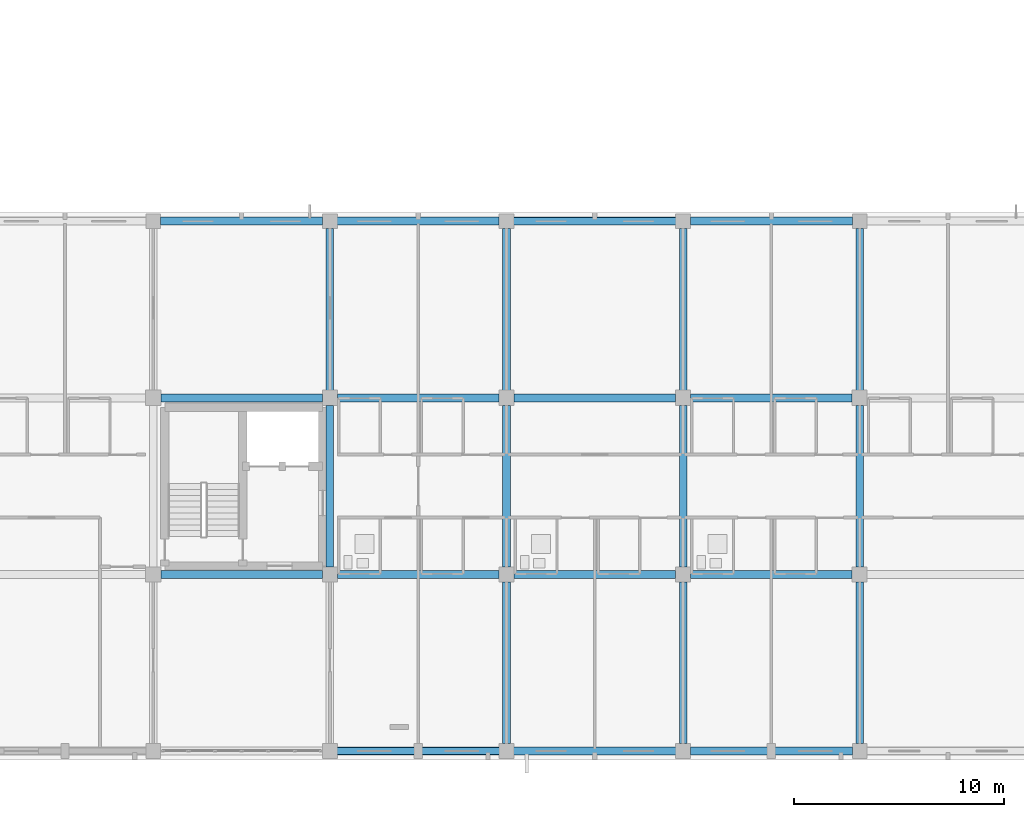
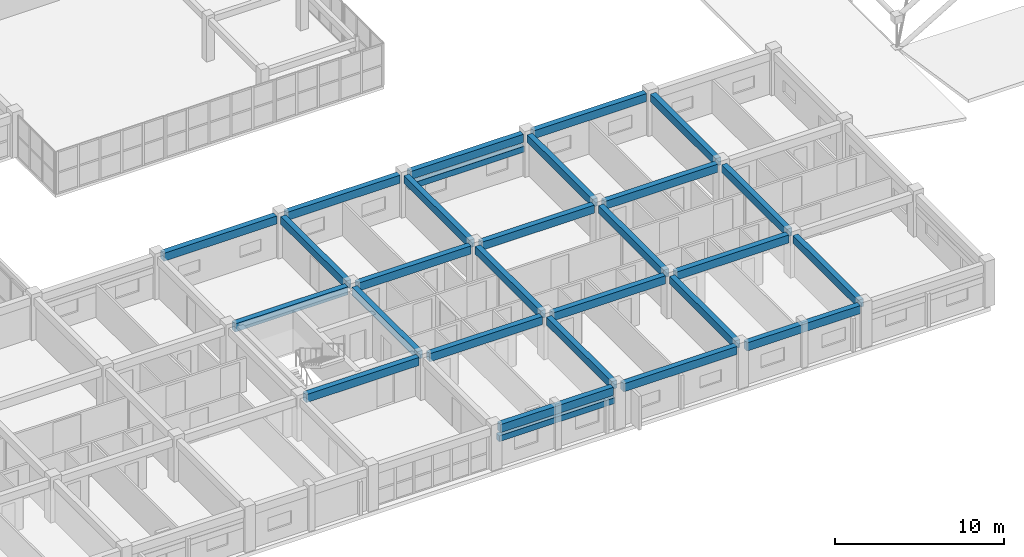
# One storey, part 31 of 148: 28 beams.
"""IFC4 building model written with IfcOpenShell, lengths in metres."""

from ifc_helpers import new_model, si_unit, direction, frame, origin, origin_2d, place, context, subcontext, project, spatial, rectangle, extrude, material, material_profile, profile_set, type_object, element, save


model = new_model("IFC4")

# Units and contexts
model_context = context("Model", 3, precision=1e-05, world=origin(), true_north=direction((0.0, 1.0)))
body_context = subcontext(model_context, "Body", "Model", "MODEL_VIEW")
ifc_project = project(units=[si_unit("LENGTHUNIT", "METRE"), si_unit("AREAUNIT", "SQUARE_METRE"), si_unit("VOLUMEUNIT", "CUBIC_METRE"), si_unit("PLANEANGLEUNIT", "RADIAN"), si_unit("MASSUNIT", "GRAM", prefix="KILO")], contexts=[model_context])

# Site, building, storey
site_placement = place(None, origin())
site = spatial("IfcSite", under=ifc_project, at=site_placement, CompositionType="ELEMENT")
building_placement = place(site_placement, origin())
building = spatial("IfcBuilding", under=site, at=building_placement, Name="Trelvath General Hospital", CompositionType="ELEMENT")
storey_placement = place(building_placement, frame((0.0, 0.0, 12.89990234375)))
storey = spatial("IfcBuildingStorey", under=building, at=storey_placement, Name="L03", CompositionType="ELEMENT", Elevation=12.89990234375)

# Beams
ifc_material_1 = material(Name="Concrete C35/45", Category="concrete")
ifc_material_profile_1 = material_profile(ifc_material_1, rectangle(XDim=0.360107421875, YDim=0.56005859375, at=origin_2d()), Name="RCB360x560")
ifc_profile_set_1 = profile_set([ifc_material_profile_1], Name="Concrete C35/45")
beam_type_1 = type_object("IfcBeamType", Name="Beam RC360x560", PredefinedType="BEAM", material=ifc_profile_set_1)
beam_1_placement = place(storey_placement, frame((100.800048828125, 8.7548828125, 2.739990234375), z_axis=(0.0, 1.0, 0.0), x_axis=(-1.0, 0.0, 0.0)))
element("IfcBeam", 1, at=beam_1_placement, inside=storey, type_object=beam_type_1, Name="Grid Beam BY-312B", PredefinedType="BEAM", context=body_context, shape_type="SweptSolid", body=[
    extrude(rectangle(XDim=0.360107421875, YDim=0.56005859375, at=origin_2d()), origin(), (0.0, 0.0, 1.0), 7.690185546875),
])
for number, where, z_axis, x_axis, name in (
    (2, (100.800048828125, 17.155029296875, 2.739990234375), (0.0, 1.0, 0.0), (-1.0, 0.0, 0.0), "Grid Beam BY-312C"),
    (3, (109.199951171875, 0.344970703125, 2.739990234375), (0.0, 1.0, 0.0), (-1.0, 0.0, 0.0), "Grid Beam BY-313A"),
):
    element("IfcBeam", number, at=place(storey_placement, frame(where, z_axis=z_axis, x_axis=x_axis)), inside=storey, type_object=beam_type_1, Name=name, PredefinedType="BEAM", context=body_context, shape_type="SweptSolid", body=[
        extrude(rectangle(XDim=0.360107421875, YDim=0.56005859375, at=origin_2d()), origin(), (0.0, 0.0, 1.0), 7.699951171875),
    ])
beam_2_placement = place(storey_placement, frame((109.199951171875, 8.7548828125, 2.739990234375), z_axis=(0.0, 1.0, 0.0), x_axis=(-1.0, 0.0, 0.0)))
element("IfcBeam", 4, at=beam_2_placement, inside=storey, type_object=beam_type_1, Name="Grid Beam BY-313B", PredefinedType="BEAM", context=body_context, shape_type="SweptSolid", body=[
    extrude(rectangle(XDim=0.360107421875, YDim=0.56005859375, at=origin_2d()), origin(), (0.0, 0.0, 1.0), 7.690185546875),
])
for number, where, z_axis, x_axis, name in (
    (5, (109.199951171875, 17.155029296875, 2.739990234375), (0.0, 1.0, 0.0), (-1.0, 0.0, 0.0), "Grid Beam BY-313C"),
    (6, (117.60009765625, 0.344970703125, 2.739990234375), (0.0, 1.0, 0.0), (-1.0, 0.0, 0.0), "Grid Beam BY-314A"),
):
    element("IfcBeam", number, at=place(storey_placement, frame(where, z_axis=z_axis, x_axis=x_axis)), inside=storey, type_object=beam_type_1, Name=name, PredefinedType="BEAM", context=body_context, shape_type="SweptSolid", body=[
        extrude(rectangle(XDim=0.360107421875, YDim=0.56005859375, at=origin_2d()), origin(), (0.0, 0.0, 1.0), 7.699951171875),
    ])
beam_3_placement = place(storey_placement, frame((117.60009765625, 8.7548828125, 2.739990234375), z_axis=(0.0, 1.0, 0.0), x_axis=(-1.0, 0.0, 0.0)))
element("IfcBeam", 7, at=beam_3_placement, inside=storey, type_object=beam_type_1, Name="Grid Beam BY-314B", PredefinedType="BEAM", context=body_context, shape_type="SweptSolid", body=[
    extrude(rectangle(XDim=0.360107421875, YDim=0.56005859375, at=origin_2d()), origin(), (0.0, 0.0, 1.0), 7.690185546875),
])
for number, where, z_axis, x_axis, name in (
    (8, (117.60009765625, 17.155029296875, 2.739990234375), (0.0, 1.0, 0.0), (-1.0, 0.0, 0.0), "Grid Beam BY-314C"),
    (9, (126.0, 0.344970703125, 2.739990234375), (0.0, 1.0, 0.0), (-1.0, 0.0, 0.0), "Grid Beam BY-315A"),
):
    element("IfcBeam", number, at=place(storey_placement, frame(where, z_axis=z_axis, x_axis=x_axis)), inside=storey, type_object=beam_type_1, Name=name, PredefinedType="BEAM", context=body_context, shape_type="SweptSolid", body=[
        extrude(rectangle(XDim=0.360107421875, YDim=0.56005859375, at=origin_2d()), origin(), (0.0, 0.0, 1.0), 7.699951171875),
    ])
beam_4_placement = place(storey_placement, frame((126.0, 8.7548828125, 2.739990234375), z_axis=(0.0, 1.0, 0.0), x_axis=(-1.0, 0.0, 0.0)))
element("IfcBeam", 10, at=beam_4_placement, inside=storey, type_object=beam_type_1, Name="Grid Beam BY-315B", PredefinedType="BEAM", context=body_context, shape_type="SweptSolid", body=[
    extrude(rectangle(XDim=0.360107421875, YDim=0.56005859375, at=origin_2d()), origin(), (0.0, 0.0, 1.0), 7.690185546875),
])
beam_5_placement = place(storey_placement, frame((126.0, 17.155029296875, 2.739990234375), z_axis=(0.0, 1.0, 0.0), x_axis=(-1.0, 0.0, 0.0)))
element("IfcBeam", 11, at=beam_5_placement, inside=storey, type_object=beam_type_1, Name="Grid Beam BY-315C", PredefinedType="BEAM", context=body_context, shape_type="SweptSolid", body=[
    extrude(rectangle(XDim=0.360107421875, YDim=0.56005859375, at=origin_2d()), origin(), (0.0, 0.0, 1.0), 7.699951171875),
])
ifc_material_2 = material(Name="Concrete C35/45", Category="concrete")
ifc_material_profile_2 = material_profile(ifc_material_2, rectangle(XDim=0.3798828125, YDim=0.580078125, at=origin_2d()), Name="RCB380x580")
ifc_profile_set_2 = profile_set([ifc_material_profile_2], Name="Concrete C35/45")
beam_type_2 = type_object("IfcBeamType", Name="Beam RC380x580", PredefinedType="BEAM", material=ifc_profile_set_2)
for number, where, z_axis, x_axis, name in (
    (12, (92.7548828125, 8.39990234375, 2.72998046875), (1.0, 0.0, 0.0), (0.0, 1.0, 0.0), "Grid Beam BX-311B"),
    (13, (92.7548828125, 16.800048828125, 2.72998046875), (1.0, 0.0, 0.0), (0.0, 1.0, 0.0), "Grid Beam BX-311C"),
):
    element("IfcBeam", number, at=place(storey_placement, frame(where, z_axis=z_axis, x_axis=x_axis)), inside=storey, type_object=beam_type_2, Name=name, PredefinedType="BEAM", context=body_context, shape_type="SweptSolid", body=[
        extrude(rectangle(XDim=0.3798828125, YDim=0.580078125, at=origin_2d()), origin(), (0.0, 0.0, 1.0), 7.690185546875),
    ])
for number, where, z_axis, x_axis, name in (
    (14, (92.7451171875, 25.199951171875, 2.72998046875), (1.0, 0.0, 0.0), (0.0, 1.0, 0.0), "Grid Beam BX-311D"),
    (15, (101.14501953125, 0.0, 2.72998046875), (1.0, 0.0, 0.0), (0.0, 1.0, 0.0), "Grid Beam BX-312A"),
):
    element("IfcBeam", number, at=place(storey_placement, frame(where, z_axis=z_axis, x_axis=x_axis)), inside=storey, type_object=beam_type_2, Name=name, PredefinedType="BEAM", context=body_context, shape_type="SweptSolid", body=[
        extrude(rectangle(XDim=0.3798828125, YDim=0.580078125, at=origin_2d()), origin(), (0.0, 0.0, 1.0), 7.7099609375),
    ])
for number, where, z_axis, x_axis, name in (
    (16, (101.155029296875, 8.39990234375, 2.72998046875), (1.0, 0.0, 0.0), (0.0, 1.0, 0.0), "Grid Beam BX-312B"),
    (17, (101.155029296875, 16.800048828125, 2.72998046875), (1.0, 0.0, 0.0), (0.0, 1.0, 0.0), "Grid Beam BX-312C"),
):
    element("IfcBeam", number, at=place(storey_placement, frame(where, z_axis=z_axis, x_axis=x_axis)), inside=storey, type_object=beam_type_2, Name=name, PredefinedType="BEAM", context=body_context, shape_type="SweptSolid", body=[
        extrude(rectangle(XDim=0.3798828125, YDim=0.580078125, at=origin_2d()), origin(), (0.0, 0.0, 1.0), 7.68994140625),
    ])
for number, where, z_axis, x_axis, name in (
    (18, (101.14501953125, 25.199951171875, 2.72998046875), (1.0, 0.0, 0.0), (0.0, 1.0, 0.0), "Grid Beam BX-312D"),
    (19, (109.544921875, 0.0, 2.72998046875), (1.0, 0.0, 0.0), (0.0, 1.0, 0.0), "Grid Beam BX-313A"),
):
    element("IfcBeam", number, at=place(storey_placement, frame(where, z_axis=z_axis, x_axis=x_axis)), inside=storey, type_object=beam_type_2, Name=name, PredefinedType="BEAM", context=body_context, shape_type="SweptSolid", body=[
        extrude(rectangle(XDim=0.3798828125, YDim=0.580078125, at=origin_2d()), origin(), (0.0, 0.0, 1.0), 7.7099609375),
    ])
for number, where, z_axis, x_axis, name in (
    (20, (109.554931640625, 8.39990234375, 2.72998046875), (1.0, 0.0, 0.0), (0.0, 1.0, 0.0), "Grid Beam BX-313B"),
    (21, (109.554931640625, 16.800048828125, 2.72998046875), (1.0, 0.0, 0.0), (0.0, 1.0, 0.0), "Grid Beam BX-313C"),
):
    element("IfcBeam", number, at=place(storey_placement, frame(where, z_axis=z_axis, x_axis=x_axis)), inside=storey, type_object=beam_type_2, Name=name, PredefinedType="BEAM", context=body_context, shape_type="SweptSolid", body=[
        extrude(rectangle(XDim=0.3798828125, YDim=0.580078125, at=origin_2d()), origin(), (0.0, 0.0, 1.0), 7.690185546875),
    ])
for number, where, z_axis, x_axis, name in (
    (22, (109.544921875, 25.199951171875, 2.72998046875), (1.0, 0.0, 0.0), (0.0, 1.0, 0.0), "Grid Beam BX-313D"),
    (23, (117.945068359375, 0.0, 2.72998046875), (1.0, 0.0, 0.0), (0.0, 1.0, 0.0), "Grid Beam BX-314A"),
):
    element("IfcBeam", number, at=place(storey_placement, frame(where, z_axis=z_axis, x_axis=x_axis)), inside=storey, type_object=beam_type_2, Name=name, PredefinedType="BEAM", context=body_context, shape_type="SweptSolid", body=[
        extrude(rectangle(XDim=0.3798828125, YDim=0.580078125, at=origin_2d()), origin(), (0.0, 0.0, 1.0), 7.7099609375),
    ])
for number, where, z_axis, x_axis, name in (
    (24, (117.955078125, 8.39990234375, 2.72998046875), (1.0, 0.0, 0.0), (0.0, 1.0, 0.0), "Grid Beam BX-314B"),
    (25, (117.955078125, 16.800048828125, 2.72998046875), (1.0, 0.0, 0.0), (0.0, 1.0, 0.0), "Grid Beam BX-314C"),
):
    element("IfcBeam", number, at=place(storey_placement, frame(where, z_axis=z_axis, x_axis=x_axis)), inside=storey, type_object=beam_type_2, Name=name, PredefinedType="BEAM", context=body_context, shape_type="SweptSolid", body=[
        extrude(rectangle(XDim=0.3798828125, YDim=0.580078125, at=origin_2d()), origin(), (0.0, 0.0, 1.0), 7.68994140625),
    ])
beam_6_placement = place(storey_placement, frame((117.945068359375, 25.199951171875, 2.72998046875), z_axis=(1.0, 0.0, 0.0), x_axis=(0.0, 1.0, 0.0)))
element("IfcBeam", 26, at=beam_6_placement, inside=storey, type_object=beam_type_2, Name="Grid Beam BX-314D", PredefinedType="BEAM", context=body_context, shape_type="SweptSolid", body=[
    extrude(rectangle(XDim=0.3798828125, YDim=0.580078125, at=origin_2d()), origin(), (0.0, 0.0, 1.0), 7.7099609375),
])
ifc_material_3 = material(Name="Precast concrete C40/50", Category="concrete")
ifc_material_profile_3 = material_profile(ifc_material_3, rectangle(XDim=0.35009765625, YDim=0.419921875, at=origin_2d()), Name="PCL350x420")
ifc_profile_set_3 = profile_set([ifc_material_profile_3], Name="Precast concrete C40/50")
beam_type_3 = type_object("IfcBeamType", Name="Lintel PC350x420", PredefinedType="LINTEL", material=ifc_profile_set_3)
beam_7_placement = place(storey_placement, frame((108.93505859375, 0.0, 2.02001953125), z_axis=(-1.0, 0.0, 0.0), x_axis=(0.0, -1.0, 0.0)))
element("IfcBeam", 27, at=beam_7_placement, inside=storey, type_object=beam_type_3, Name="Precast Window Brow Lintel L03-398", PredefinedType="LINTEL", context=body_context, shape_type="SweptSolid", body=[
    extrude(rectangle(XDim=0.35009765625, YDim=0.419921875, at=origin_2d()), origin(), (0.0, 0.0, 1.0), 7.8701171875),
])
beam_8_placement = place(storey_placement, frame((109.465087890625, 25.199951171875, 1.920166015625), z_axis=(1.0, 0.0, 0.0), x_axis=(0.0, 1.0, 0.0)))
element("IfcBeam", 28, at=beam_8_placement, inside=storey, type_object=beam_type_3, Name="Precast Window Brow Lintel L03-403", PredefinedType="LINTEL", context=body_context, shape_type="SweptSolid", body=[
    extrude(rectangle(XDim=0.35009765625, YDim=0.419921875, at=origin_2d()), origin(), (0.0, 0.0, 1.0), 7.869873046875),
])

save(model, "model.ifc")
